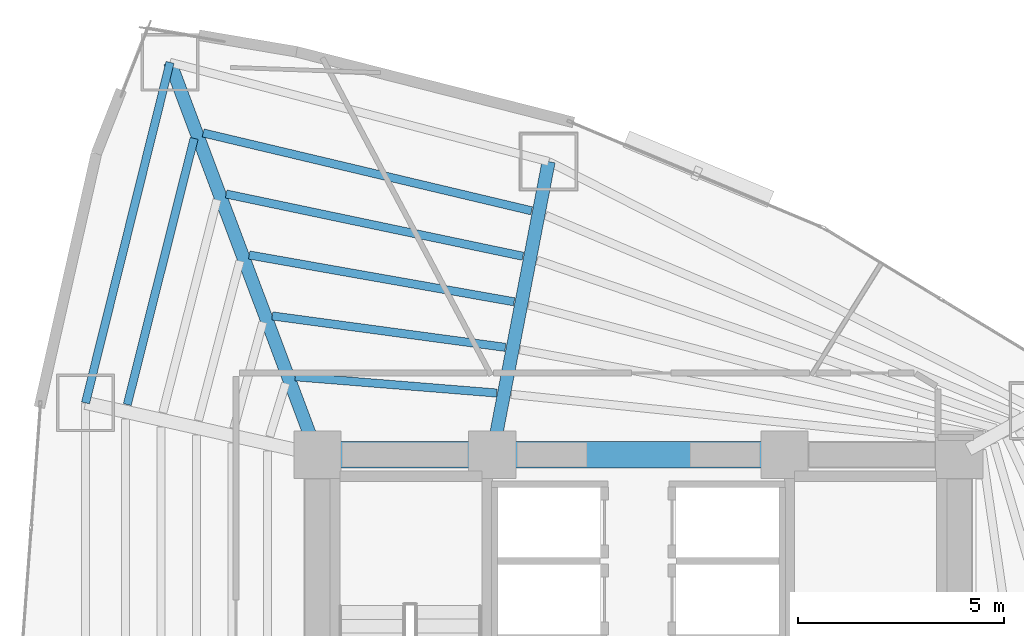
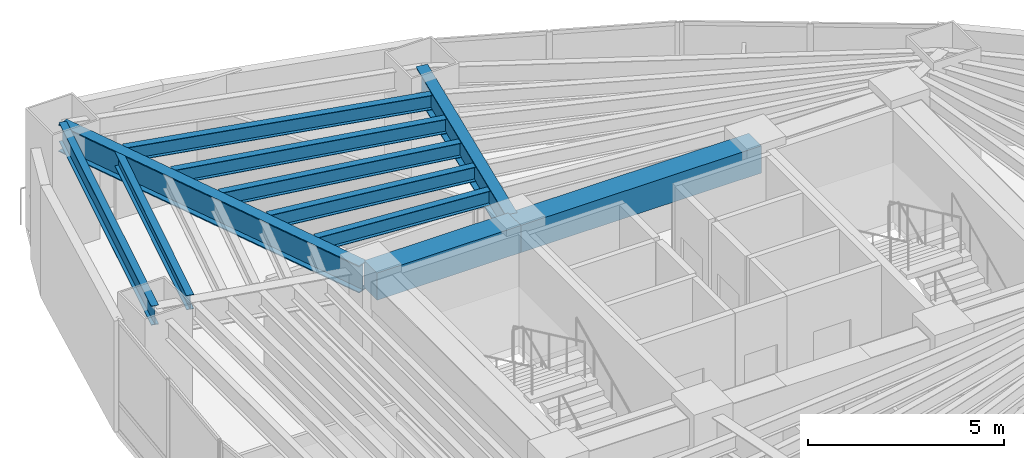
# One storey, part 8 of 18: 11 beams.
"""IFC4 building model written with IfcOpenShell, lengths in metres."""

from ifc_helpers import new_model, si_unit, direction, frame, origin, origin_2d, place, context, subcontext, project, spatial, rectangle, i_section, extrude, material, material_profile, profile_set, type_object, element, save


model = new_model("IFC4")

# Units and contexts
model_context = context("Model", 3, precision=1e-05, world=origin(), true_north=direction((0.0, 1.0)))
body_context = subcontext(model_context, "Body", "Model", "MODEL_VIEW")
ifc_project = project(units=[si_unit("LENGTHUNIT", "METRE"), si_unit("AREAUNIT", "SQUARE_METRE"), si_unit("VOLUMEUNIT", "CUBIC_METRE"), si_unit("PLANEANGLEUNIT", "RADIAN"), si_unit("MASSUNIT", "GRAM", prefix="KILO")], contexts=[model_context])

# Site, building, storey
site_placement = place(None, origin())
site = spatial("IfcSite", under=ifc_project, at=site_placement, CompositionType="ELEMENT")
building_placement = place(site_placement, origin())
building = spatial("IfcBuilding", under=site, at=building_placement, Name="Menara Vayukalpa", CompositionType="ELEMENT")
storey_placement = place(building_placement, frame((0.0, 0.0, 31.320068359375)))
storey = spatial("IfcBuildingStorey", under=building, at=storey_placement, Name="L06", CompositionType="ELEMENT", Elevation=31.320068359375)

# Beams
ifc_material_1 = material(Name="Concrete C60/75", Category="concrete")
ifc_material_profile_1 = material_profile(ifc_material_1, rectangle(XDim=0.64990234375, YDim=0.85009765625, at=origin_2d()), Name="RC 650x850")
ifc_profile_set_1 = profile_set([ifc_material_profile_1], Name="Concrete C60/75")
beam_type_1 = type_object("IfcBeamType", Name="BM-CB1", PredefinedType="BEAM", material=ifc_profile_set_1)
beam_1_placement = place(storey_placement, frame((17.800048828125, 26.800048828125, 3.044921875), z_axis=(1.0, 0.0, 0.0), x_axis=(0.0, 1.0, 0.0)))
element("IfcBeam", 1, at=beam_1_placement, inside=storey, type_object=beam_type_1, Name="L06 Core Tie Beam CBR4", PredefinedType="BEAM", context=body_context, shape_type="SweptSolid", body=[
    extrude(rectangle(XDim=0.64990234375, YDim=0.85009765625, at=origin_2d()), origin(), (0.0, 0.0, 1.0), 4.25),
])
beam_2_placement = place(storey_placement, frame((22.050048828125, 26.800048828125, 3.044921875), z_axis=(1.0, 0.0, 0.0), x_axis=(0.0, 1.0, 0.0)))
element("IfcBeam", 2, at=beam_2_placement, inside=storey, type_object=beam_type_1, Name="L06 Core Tie Beam CBR5", PredefinedType="BEAM", context=body_context, shape_type="SweptSolid", body=[
    extrude(rectangle(XDim=0.64990234375, YDim=0.85009765625, at=origin_2d()), origin(), (0.0, 0.0, 1.0), 7.099853515625),
])
ifc_material_2 = material(Name="Steel S355", Category="steel")
ifc_material_profile_2 = material_profile(ifc_material_2, i_section(OverallWidth=0.320068359375, OverallDepth=0.85009765625, WebThickness=0.01611328125, FlangeThickness=0.030029296875, at=origin_2d()), Name="WF 850x320x16x30")
ifc_profile_set_2 = profile_set([ifc_material_profile_2], Name="Steel S355")
beam_type_2 = type_object("IfcBeamType", Name="BM-PG2", PredefinedType="BEAM", material=ifc_profile_set_2)
beam_3_placement = place(storey_placement, frame((22.09716796875, 27.04541015625, 3.044921875), z_axis=(0.188803432672, 0.982014899995, 0.0), x_axis=(-0.982014899995, 0.188803432672, 0.0)))
element("IfcBeam", 3, at=beam_3_placement, inside=storey, type_object=beam_type_2, Name="L06 Primary Radial Girder RG03", PredefinedType="BEAM", context=body_context, shape_type="SweptSolid", body=[
    extrude(i_section(OverallWidth=0.320068359375, OverallDepth=0.85009765625, WebThickness=0.01611328125, FlangeThickness=0.030029296875, at=origin_2d()), origin(), (0.0, 0.0, 1.0), 7.00341796875),
])
beam_4_placement = place(storey_placement, frame((17.712158203125, 27.033935546875, 3.044921875), z_axis=(-0.351734656537, 0.93609974436, 0.0), x_axis=(-0.93609974436, -0.351734656537, 0.0)))
element("IfcBeam", 4, at=beam_4_placement, inside=storey, type_object=beam_type_2, Name="L06 Primary Radial Girder RG04", PredefinedType="BEAM", context=body_context, shape_type="SweptSolid", body=[
    extrude(i_section(OverallWidth=0.320068359375, OverallDepth=0.85009765625, WebThickness=0.01611328125, FlangeThickness=0.030029296875, at=origin_2d()), origin(), (0.0, 0.0, 1.0), 9.935302734375),
])
ifc_material_3 = material(Name="Steel S355", Category="steel")
ifc_material_profile_3 = material_profile(ifc_material_3, i_section(OverallWidth=0.199951171875, OverallDepth=0.449951171875, WebThickness=0.009033203125, FlangeThickness=0.013916015625, at=origin_2d()), Name="WF 450x200x9x14")
ifc_profile_set_3 = profile_set([ifc_material_profile_3], Name="Steel S355")
beam_type_3 = type_object("IfcBeamType", Name="BM-SJ1", PredefinedType="JOIST", material=ifc_profile_set_3)
beam_5_placement = place(storey_placement, frame((22.15576171875, 28.2978515625, 3.244873046875), z_axis=(-0.996745483939, 0.08061290373, 0.0), x_axis=(-0.08061290373, -0.996745483939, 0.0)))
element("IfcBeam", 5, at=beam_5_placement, inside=storey, type_object=beam_type_3, Name="L06 Secondary Floor Joist SJ03-1", PredefinedType="JOIST", context=body_context, shape_type="SweptSolid", body=[
    extrude(i_section(OverallWidth=0.199951171875, OverallDepth=0.449951171875, WebThickness=0.009033203125, FlangeThickness=0.013916015625, at=origin_2d()), origin(), (0.0, 0.0, 1.0), 4.9091796875),
])
beam_6_placement = place(storey_placement, frame((22.368408203125, 29.40771484375, 3.244873046875), z_axis=(-0.991021966654, 0.13369914588, 0.0), x_axis=(-0.13369914588, -0.991021966654, 0.0)))
element("IfcBeam", 6, at=beam_6_placement, inside=storey, type_object=beam_type_3, Name="L06 Secondary Floor Joist SJ03-2", PredefinedType="JOIST", context=body_context, shape_type="SweptSolid", body=[
    extrude(i_section(OverallWidth=0.199951171875, OverallDepth=0.449951171875, WebThickness=0.009033203125, FlangeThickness=0.013916015625, at=origin_2d()), origin(), (0.0, 0.0, 1.0), 5.71728515625),
])
beam_7_placement = place(storey_placement, frame((22.5810546875, 30.515380859375, 3.244873046875), z_axis=(-0.984753096925, 0.173957862993, 0.0), x_axis=(-0.173957862993, -0.984753096925, 0.0)))
element("IfcBeam", 7, at=beam_7_placement, inside=storey, type_object=beam_type_3, Name="L06 Secondary Floor Joist SJ03-3", PredefinedType="JOIST", context=body_context, shape_type="SweptSolid", body=[
    extrude(i_section(OverallWidth=0.199951171875, OverallDepth=0.449951171875, WebThickness=0.009033203125, FlangeThickness=0.013916015625, at=origin_2d()), origin(), (0.0, 0.0, 1.0), 6.53857421875),
])
beam_8_placement = place(storey_placement, frame((22.793701171875, 31.62158203125, 3.244873046875), z_axis=(-0.978676146728, 0.205409346977, 0.0), x_axis=(-0.205409346977, -0.978676146728, 0.0)))
element("IfcBeam", 8, at=beam_8_placement, inside=storey, type_object=beam_type_3, Name="L06 Secondary Floor Joist SJ03-4", PredefinedType="JOIST", context=body_context, shape_type="SweptSolid", body=[
    extrude(i_section(OverallWidth=0.199951171875, OverallDepth=0.449951171875, WebThickness=0.009033203125, FlangeThickness=0.013916015625, at=origin_2d()), origin(), (0.0, 0.0, 1.0), 7.369140625),
])
beam_9_placement = place(storey_placement, frame((23.00634765625, 32.726318359375, 3.244873046875), z_axis=(-0.97303971213, 0.23063763487, 0.0), x_axis=(-0.23063763487, -0.97303971213, 0.0)))
element("IfcBeam", 9, at=beam_9_placement, inside=storey, type_object=beam_type_3, Name="L06 Secondary Floor Joist SJ03-5", PredefinedType="JOIST", context=body_context, shape_type="SweptSolid", body=[
    extrude(i_section(OverallWidth=0.199951171875, OverallDepth=0.449951171875, WebThickness=0.009033203125, FlangeThickness=0.013916015625, at=origin_2d()), origin(), (0.0, 0.0, 1.0), 8.205810546875),
])
beam_10_placement = place(storey_placement, frame((14.802734375, 34.485595703125, 3.244873046875), z_axis=(-0.243517460774, -0.96989651319, 0.0), x_axis=(0.96989651319, -0.243517460774, 0.0)))
element("IfcBeam", 10, at=beam_10_placement, inside=storey, type_object=beam_type_3, Name="L06 Secondary Floor Joist SJ04-5", PredefinedType="JOIST", context=body_context, shape_type="SweptSolid", body=[
    extrude(i_section(OverallWidth=0.199951171875, OverallDepth=0.449951171875, WebThickness=0.009033203125, FlangeThickness=0.013916015625, at=origin_2d()), origin(), (0.0, 0.0, 1.0), 6.6689453125),
])
ifc_material_4 = material(Name="Steel S355", Category="steel")
ifc_material_profile_4 = material_profile(ifc_material_4, i_section(OverallWidth=0.199951171875, OverallDepth=0.60009765625, WebThickness=0.010986328125, FlangeThickness=0.01708984375, at=origin_2d()), Name="WF 600x200x11x17")
ifc_profile_set_4 = profile_set([ifc_material_profile_4], Name="Steel S355")
beam_type_4 = type_object("IfcBeamType", Name="BM-SP1", PredefinedType="SPANDREL", material=ifc_profile_set_4)
beam_11_placement = place(storey_placement, frame((14.217529296875, 36.33447265625, 3.169921875), z_axis=(-0.240823860364, -0.970568837476, 0.0), x_axis=(0.970568837476, -0.240823860364, 0.0)))
element("IfcBeam", 11, at=beam_11_placement, inside=storey, type_object=beam_type_4, Name="L06 Perimeter Spandrel Beam SP04", PredefinedType="SPANDREL", context=body_context, shape_type="SweptSolid", body=[
    extrude(i_section(OverallWidth=0.199951171875, OverallDepth=0.60009765625, WebThickness=0.010986328125, FlangeThickness=0.01708984375, at=origin_2d()), origin(), (0.0, 0.0, 1.0), 8.52587890625),
])

save(model, "model.ifc")
